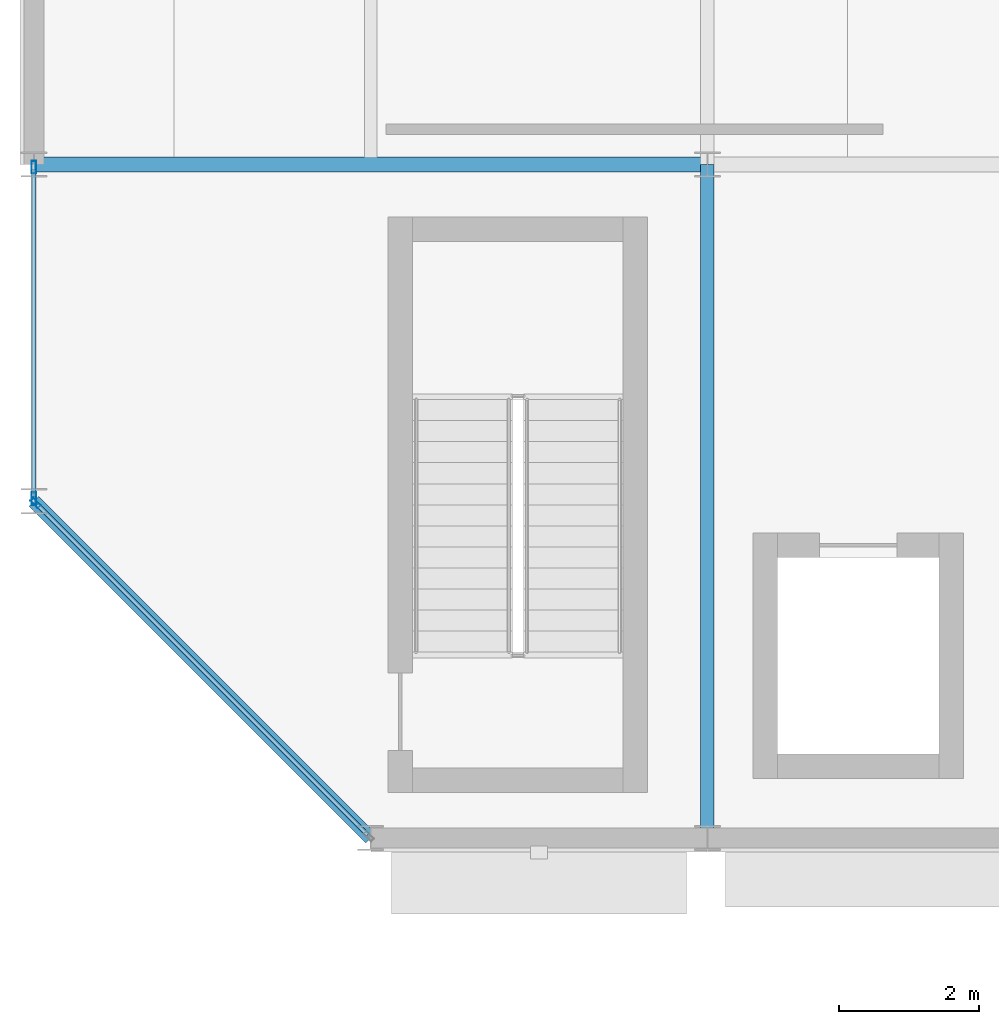
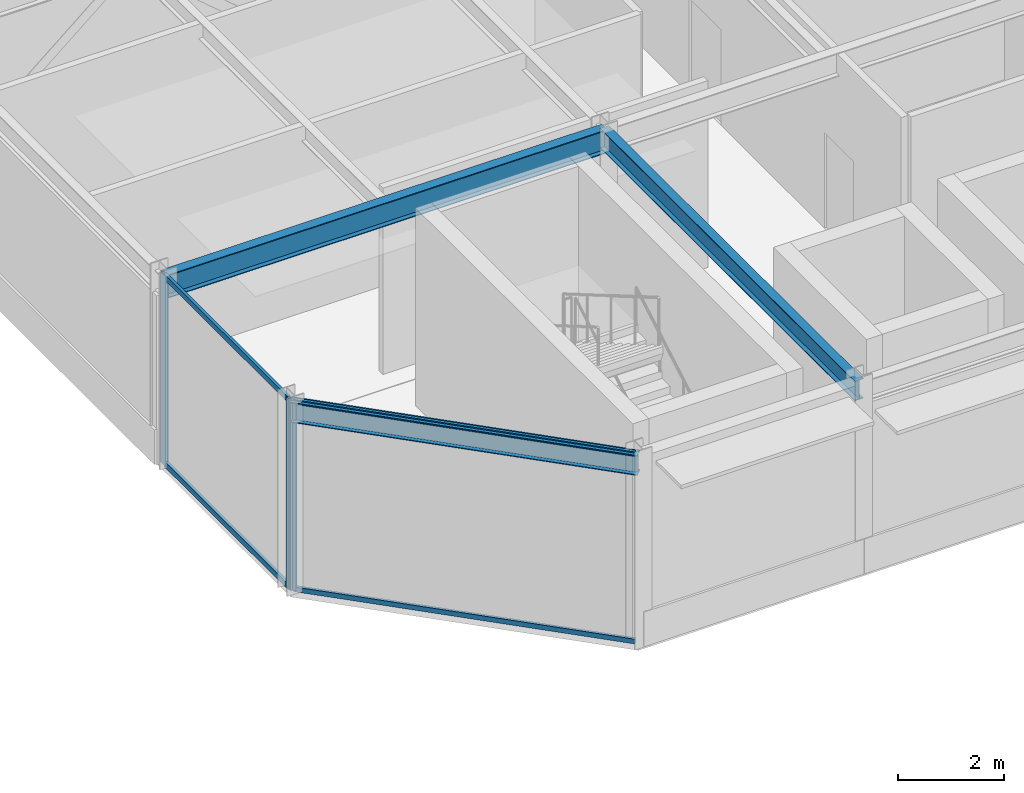
# One storey, part 32 of 116: 7 members, 3 beams, 2 elements without a shape of their own.
"""IFC4 building model written with IfcOpenShell, lengths in metres."""

from ifc_helpers import new_model, si_unit, direction, frame, origin, origin_2d, place, context, subcontext, project, spatial, hollow_rectangle, i_section, extrude, material, material_profile, profile_set, type_object, element, aggregate, save


model = new_model("IFC4")

# Units and contexts
model_context = context("Model", 3, precision=1e-05, world=origin(), true_north=direction((0.0, 1.0)))
body_context = subcontext(model_context, "Body", "Model", "MODEL_VIEW")
ifc_project = project(units=[si_unit("LENGTHUNIT", "METRE"), si_unit("AREAUNIT", "SQUARE_METRE"), si_unit("VOLUMEUNIT", "CUBIC_METRE"), si_unit("PLANEANGLEUNIT", "RADIAN"), si_unit("MASSUNIT", "GRAM", prefix="KILO")], contexts=[model_context])

# Site, building, storey
site_placement = place(None, origin())
site = spatial("IfcSite", under=ifc_project, at=site_placement, CompositionType="ELEMENT")
building_placement = place(site_placement, origin())
building = spatial("IfcBuilding", under=site, at=building_placement, Name="Almandine Court Research Institute", CompositionType="ELEMENT")
storey_placement = place(building_placement, frame((0.0, 0.0, 14.35009765625)))
storey = spatial("IfcBuildingStorey", under=building, at=storey_placement, Name="L03", CompositionType="ELEMENT", Elevation=14.35009765625)

# Beams
ifc_material_1 = material(Name="Steel ASTM A992 Grade 50", Category="steel")
ifc_material_profile_1 = material_profile(ifc_material_1, i_section(OverallWidth=0.18994140625, OverallDepth=0.45703125, WebThickness=0.009033203125, FlangeThickness=0.014892578125, at=origin_2d()), Name="W460x74")
ifc_profile_set_1 = profile_set([ifc_material_profile_1], Name="Steel ASTM A992 Grade 50")
beam_type_1 = type_object("IfcBeamType", Name="Beam-B-01", PredefinedType="BEAM", material=ifc_profile_set_1)
beam_1_placement = place(storey_placement, frame((15.60009765625, 84.0, 4.140869140625), z_axis=(0.0, 1.0, 0.0), x_axis=(-1.0, 0.0, 0.0)))
element("IfcBeam", 1, at=beam_1_placement, inside=storey, type_object=beam_type_1, Name="L03 V3 Primary Y Girder", PredefinedType="BEAM", context=body_context, shape_type="SweptSolid", body=[
    extrude(i_section(OverallWidth=0.18994140625, OverallDepth=0.45703125, WebThickness=0.009033203125, FlangeThickness=0.014892578125, at=origin_2d()), origin(), (0.0, 0.0, 1.0), 9.60009765625),
])
ifc_material_profile_2 = material_profile(ifc_material_1, i_section(OverallWidth=0.2109375, OverallDepth=0.5390625, WebThickness=0.011962890625, FlangeThickness=0.01904296875, at=origin_2d()), Name="W530x109")
ifc_profile_set_2 = profile_set([ifc_material_profile_2], Name="Steel ASTM A992 Grade 50")
beam_type_2 = type_object("IfcBeamType", Name="Beam-G-04", PredefinedType="BEAM", material=ifc_profile_set_2)
beam_2_placement = place(storey_placement, frame((6.0, 93.60009765625, 4.099853515625), z_axis=(1.0, 0.0, 0.0), x_axis=(0.0, 1.0, 0.0)))
element("IfcBeam", 2, at=beam_2_placement, inside=storey, type_object=beam_type_2, Name="L03 V3 Primary X Girder", PredefinedType="BEAM", context=body_context, shape_type="SweptSolid", body=[
    extrude(i_section(OverallWidth=0.2109375, OverallDepth=0.5390625, WebThickness=0.011962890625, FlangeThickness=0.01904296875, at=origin_2d()), origin(), (0.0, 0.0, 1.0), 9.60009765625),
])
ifc_material_profile_3 = material_profile(ifc_material_1, i_section(OverallWidth=0.193115234375, OverallDepth=0.466064453125, WebThickness=0.010986328125, FlangeThickness=0.01904296875, at=origin_2d()), Name="W460x97")
ifc_profile_set_3 = profile_set([ifc_material_profile_3], Name="Steel ASTM A992 Grade 50")
beam_type_3 = type_object("IfcBeamType", Name="Beam-G-06-E", PredefinedType="SPANDREL", material=ifc_profile_set_3)
beam_3_placement = place(storey_placement, frame((6.0, 88.800048828125, 4.136962890625), z_axis=(0.707106781187, -0.707106781187, 0.0), x_axis=(0.707106781187, 0.707106781187, 0.0)))
element("IfcBeam", 3, at=beam_3_placement, inside=storey, type_object=beam_type_3, Name="L03 V3 Octagonal Chamfer Spandrel", PredefinedType="SPANDREL", context=body_context, shape_type="SweptSolid", body=[
    extrude(i_section(OverallWidth=0.193115234375, OverallDepth=0.466064453125, WebThickness=0.010986328125, FlangeThickness=0.01904296875, at=origin_2d()), origin(), (0.0, 0.0, 1.0), 6.788330078125),
])

# Curtain wall, member
ifc_material_2 = material(Name="Unitised Curtain Wall Framing and Solar Glazing", Category="glass")
curtain_wall_type_1 = type_object("IfcCurtainWallType", Name="CW-CWG-05", PredefinedType="USERDEFINED", material=ifc_material_2)
curtain_wall_1_placement = place(storey_placement, origin())
curtain_wall_1 = element("IfcCurtainWall", 4, at=curtain_wall_1_placement, inside=storey, type_object=curtain_wall_type_1, Name="L03 Cleanroom SW Chamfer Glazing", ObjectType="UNITISED GLAZING", PredefinedType="USERDEFINED")
ifc_material_3 = material(Name="Anodised Aluminium AW-6063-T6", Category="aluminium")
ifc_material_profile_4 = material_profile(ifc_material_3, hollow_rectangle(XDim=0.06005859375, YDim=0.14990234375, WallThickness=0.00390625, at=origin_2d()), Name="ALU RHS 60x150x4")
ifc_profile_set_4 = profile_set([ifc_material_profile_4], Name="Anodised Aluminium AW-6063-T6")
member_type_1 = type_object("IfcMemberType", Name="CWMul-60x150", PredefinedType="MULLION", material=ifc_profile_set_4)
member_1_placement = place(storey_placement, frame((6.025146484375, 88.77490234375, 0.0), z_axis=(0.0, 0.0, 1.0), x_axis=(-0.707106781187, -0.707106781187, 0.0)))
member_1 = element("IfcMember", 5, at=member_1_placement, type_object=member_type_1, Name="CWG-05 mullion 2", PredefinedType="MULLION", context=body_context, shape_type="SweptSolid", body=[
    extrude(hollow_rectangle(XDim=0.06005859375, YDim=0.14990234375, WallThickness=0.00390625, at=origin_2d()), origin(), (0.0, 0.0, 1.0), 4.369873046875),
])

# Curtain wall, members
curtain_wall_type_2 = type_object("IfcCurtainWallType", Name="CW-CWJ-06", PredefinedType="USERDEFINED", material=ifc_material_2)
curtain_wall_2_placement = place(storey_placement, origin())
curtain_wall_2 = element("IfcCurtainWall", 6, at=curtain_wall_2_placement, inside=storey, type_object=curtain_wall_type_2, Name="L03 Cleanroom West Jali Curtain Wall", ObjectType="SOLAR JALI SCREEN", PredefinedType="USERDEFINED")
ifc_material_profile_5 = material_profile(ifc_material_3, hollow_rectangle(XDim=0.06494140625, YDim=0.179931640625, WallThickness=0.00390625, at=origin_2d()), Name="ALU RHS 65x180x4")
ifc_profile_set_5 = profile_set([ifc_material_profile_5], Name="Anodised Aluminium AW-6063-T6")
member_type_2 = type_object("IfcMemberType", Name="CWMul-65x180", PredefinedType="MULLION", material=ifc_profile_set_5)
member_2_placement = place(storey_placement, frame((6.0, 88.83642578125, 0.0), z_axis=(0.0, 0.0, 1.0), x_axis=(-1.0, 0.0, 0.0)))
member_2 = element("IfcMember", 7, at=member_2_placement, type_object=member_type_2, Name="CWJ-06 mullion 1", PredefinedType="MULLION", context=body_context, shape_type="SweptSolid", body=[
    extrude(hollow_rectangle(XDim=0.06494140625, YDim=0.179931640625, WallThickness=0.00390625, at=origin_2d()), origin(), (0.0, 0.0, 1.0), 4.369873046875),
])
member_3_placement = place(storey_placement, frame((6.0, 93.5634765625, 0.0), z_axis=(0.0, 0.0, 1.0), x_axis=(-1.0, 0.0, 0.0)))
member_3 = element("IfcMember", 8, at=member_3_placement, type_object=member_type_2, Name="CWJ-06 mullion 2", PredefinedType="MULLION", context=body_context, shape_type="SweptSolid", body=[
    extrude(hollow_rectangle(XDim=0.06494140625, YDim=0.179931640625, WallThickness=0.00390625, at=origin_2d()), origin(), (0.0, 0.0, 1.0), 4.369873046875),
])

# Member
ifc_material_profile_6 = material_profile(ifc_material_3, hollow_rectangle(XDim=0.06005859375, YDim=0.110107421875, WallThickness=0.00390625, at=origin_2d()), Name="ALU RHS 60x110x4")
ifc_profile_set_6 = profile_set([ifc_material_profile_6], Name="Anodised Aluminium AW-6063-T6")
member_type_3 = type_object("IfcMemberType", Name="CWTrn-60x110", PredefinedType="NOTDEFINED", material=ifc_profile_set_6)
member_4_placement = place(storey_placement, frame((10.753662109375, 84.04638671875, 0.02978515625), z_axis=(-0.707106781187, 0.707106781187, 0.0), x_axis=(-0.707106781187, -0.707106781187, 0.0)))
member_4 = element("IfcMember", 9, at=member_4_placement, type_object=member_type_3, Name="CWG-05 transom 1.1", ObjectType="TRANSOM", PredefinedType="USERDEFINED", context=body_context, shape_type="SweptSolid", body=[
    extrude(hollow_rectangle(XDim=0.06005859375, YDim=0.110107421875, WallThickness=0.00390625, at=origin_2d()), origin(), (0.0, 0.0, 1.0), 6.656982421875),
])

member_5_placement = place(storey_placement, frame((10.753662109375, 84.04638671875, 4.33984375), z_axis=(-0.707106781187, 0.707106781187, 0.0), x_axis=(-0.707106781187, -0.707106781187, 0.0)))
member_5 = element("IfcMember", 10, at=member_5_placement, type_object=member_type_3, Name="CWG-05 transom 1.2", ObjectType="TRANSOM", PredefinedType="USERDEFINED", context=body_context, shape_type="SweptSolid", body=[
    extrude(hollow_rectangle(XDim=0.06005859375, YDim=0.110107421875, WallThickness=0.00390625, at=origin_2d()), origin(), (0.0, 0.0, 1.0), 6.656982421875),
])

aggregate(curtain_wall_1, [member_1, member_4, member_5])

ifc_material_profile_7 = material_profile(ifc_material_3, hollow_rectangle(XDim=0.06494140625, YDim=0.1298828125, WallThickness=0.00390625, at=origin_2d()), Name="ALU RHS 65x130x4")
ifc_profile_set_7 = profile_set([ifc_material_profile_7], Name="Anodised Aluminium AW-6063-T6")
member_type_4 = type_object("IfcMemberType", Name="CWTrn-65x130", PredefinedType="NOTDEFINED", material=ifc_profile_set_7)
member_6_placement = place(storey_placement, frame((6.0, 88.868896484375, 0.032470703125), z_axis=(0.0, 1.0, 0.0), x_axis=(-1.0, 0.0, 0.0)))
member_6 = element("IfcMember", 11, at=member_6_placement, type_object=member_type_4, Name="CWJ-06 transom 1.1", ObjectType="TRANSOM", PredefinedType="USERDEFINED", context=body_context, shape_type="SweptSolid", body=[
    extrude(hollow_rectangle(XDim=0.06494140625, YDim=0.1298828125, WallThickness=0.00390625, at=origin_2d()), origin(), (0.0, 0.0, 1.0), 4.662109375),
])

member_7_placement = place(storey_placement, frame((6.0, 88.868896484375, 4.33740234375), z_axis=(0.0, 1.0, 0.0), x_axis=(-1.0, 0.0, 0.0)))
member_7 = element("IfcMember", 12, at=member_7_placement, type_object=member_type_4, Name="CWJ-06 transom 1.2", ObjectType="TRANSOM", PredefinedType="USERDEFINED", context=body_context, shape_type="SweptSolid", body=[
    extrude(hollow_rectangle(XDim=0.06494140625, YDim=0.1298828125, WallThickness=0.00390625, at=origin_2d()), origin(), (0.0, 0.0, 1.0), 4.662109375),
])

aggregate(curtain_wall_2, [member_2, member_3, member_6, member_7])

save(model, "model.ifc")
